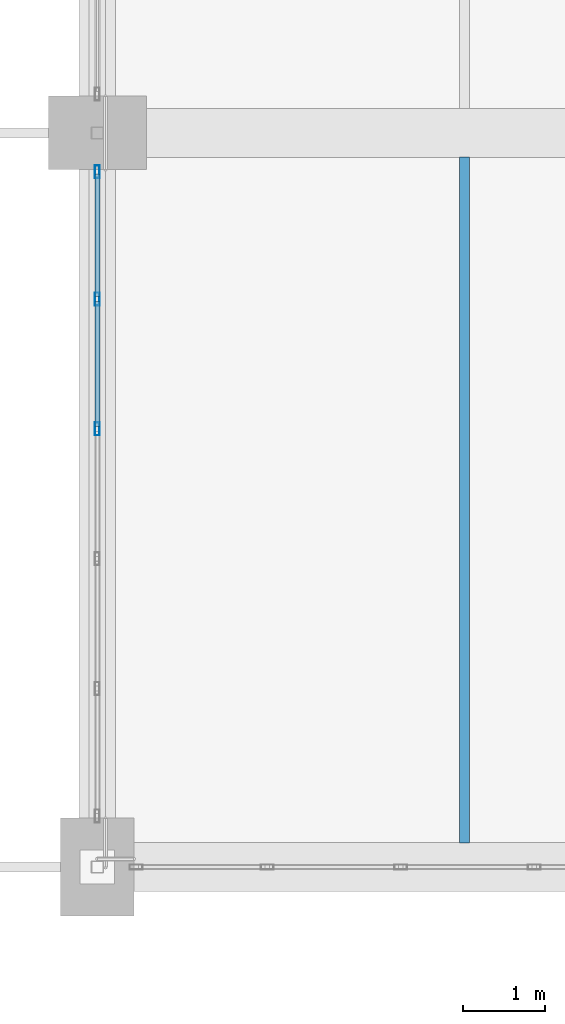
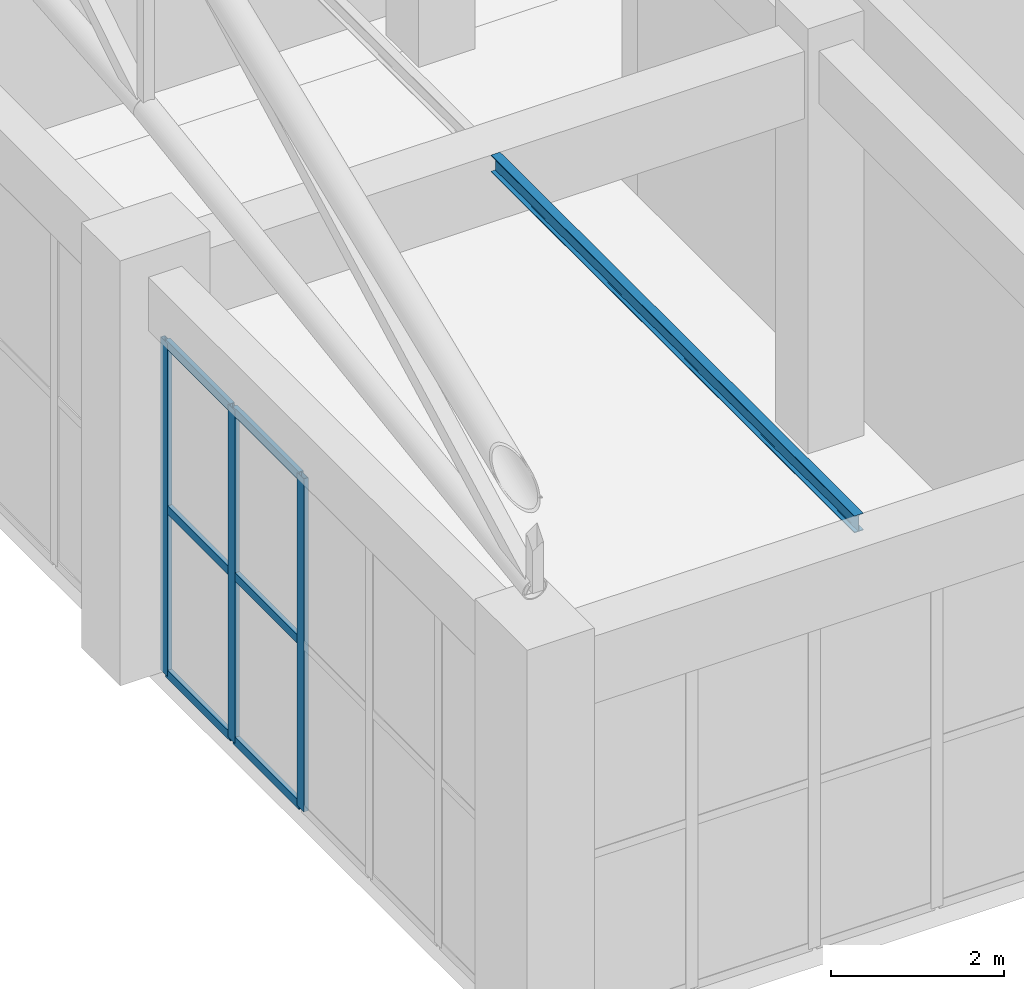
# One storey, part 92 of 223: 9 members, 1 beam, 1 element without a shape of its own.
"""IFC4 building model written with IfcOpenShell, lengths in metres."""

from ifc_helpers import new_model, si_unit, direction, frame, origin, origin_2d, place, context, subcontext, project, spatial, hollow_rectangle, i_section, extrude, material, layer, layer_set, material_profile, profile_set, type_object, element, aggregate, save


model = new_model("IFC4")

# Units and contexts
model_context = context("Model", 3, precision=1e-05, world=origin(), true_north=direction((0.0, 1.0)))
body_context = subcontext(model_context, "Body", "Model", "MODEL_VIEW")
ifc_project = project(units=[si_unit("LENGTHUNIT", "METRE"), si_unit("AREAUNIT", "SQUARE_METRE"), si_unit("VOLUMEUNIT", "CUBIC_METRE"), si_unit("PLANEANGLEUNIT", "RADIAN"), si_unit("MASSUNIT", "GRAM", prefix="KILO")], contexts=[model_context])

# Site, building, storey
site_placement = place(None, origin())
site = spatial("IfcSite", under=ifc_project, at=site_placement, CompositionType="ELEMENT")
building_placement = place(site_placement, origin())
building = spatial("IfcBuilding", under=site, at=building_placement, Name="Dornveld Trade and Exhibition Forum", CompositionType="ELEMENT")
storey_placement = place(building_placement, frame((0.0, 0.0, 6.0)))
storey = spatial("IfcBuildingStorey", under=building, at=storey_placement, Name="L01", CompositionType="ELEMENT", Elevation=6.0)

# Beam
ifc_material_1 = material(Name="Steel S355J2", Category="steel")
ifc_material_profile_1 = material_profile(ifc_material_1, i_section(OverallWidth=0.1201171875, OverallDepth=0.239990234375, WebThickness=0.006103515625, FlangeThickness=0.009765625, FilletRadius=0.014892578125, at=origin_2d()), Name="IPE 240")
ifc_profile_set_1 = profile_set([ifc_material_profile_1], Name="Steel S355J2")
beam_type = type_object("IfcBeamType", Name="BM-JOIST-240", PredefinedType="JOIST", material=ifc_profile_set_1)
beam_placement = place(storey_placement, frame((175.5, 108.297119140625, 5.52001953125), z_axis=(0.0, 1.0, 0.0), x_axis=(-1.0, 0.0, 0.0)))
element("IfcBeam", 1, at=beam_placement, inside=storey, type_object=beam_type, Name="L01 secondary joist 1364", PredefinedType="JOIST", context=body_context, shape_type="SweptSolid", body=[
    extrude(i_section(OverallWidth=0.1201171875, OverallDepth=0.239990234375, WebThickness=0.006103515625, FlangeThickness=0.009765625, FilletRadius=0.014892578125, at=origin_2d()), origin(), (0.0, 0.0, 1.0), 8.40576171875),
])

# Curtain wall, members
ifc_material_2 = material(Name="Dark-bronze anodised aluminium and low-E glass", Category="aluminium")
ifc_layer = layer(ifc_material_2, 0.1630859375)
ifc_layer_set = layer_set([ifc_layer], Name="Dark-bronze anodised aluminium and low-E glass")
curtain_wall_type = type_object("IfcCurtainWallType", Name="CW-SYS-07", PredefinedType="USERDEFINED", material=ifc_layer_set)
curtain_wall_placement = place(storey_placement, origin())
curtain_wall = element("IfcCurtainWall", 2, at=curtain_wall_placement, inside=storey, type_object=curtain_wall_type, Name="L01 unitised curtain wall 7", ObjectType="UNITISED_CURTAIN_WALL", PredefinedType="USERDEFINED")
ifc_material_3 = material(Name="Dark-bronze anodised aluminium", Category="aluminium")
ifc_material_profile_2 = material_profile(ifc_material_3, hollow_rectangle(XDim=0.06005859375, YDim=0.159912109375, WallThickness=0.00390625, at=origin_2d()), Name="RHS 160x60x4")
ifc_profile_set_2 = profile_set([ifc_material_profile_2], Name="Dark-bronze anodised aluminium")
member_type_1 = type_object("IfcMemberType", Name="CW-MUL-160", PredefinedType="MULLION", material=ifc_profile_set_2)
member_1_placement = place(storey_placement, frame((171.0, 113.370849609375, -0.00390625), z_axis=(0.0, 0.0, 1.0), x_axis=(-1.0, 0.0, 0.0)))
member_1 = element("IfcMember", 3, at=member_1_placement, type_object=member_type_1, Name="CW-07 mullion 4", PredefinedType="MULLION", context=body_context, shape_type="SweptSolid", body=[
    extrude(hollow_rectangle(XDim=0.06005859375, YDim=0.159912109375, WallThickness=0.00390625, at=origin_2d()), origin(), (0.0, 0.0, 1.0), 4.703857421875),
])
member_2_placement = place(storey_placement, frame((171.0, 114.96240234375, -0.00390625), z_axis=(0.0, 0.0, 1.0), x_axis=(-1.0, 0.0, 0.0)))
member_2 = element("IfcMember", 4, at=member_2_placement, type_object=member_type_1, Name="CW-07 mullion 5", PredefinedType="MULLION", context=body_context, shape_type="SweptSolid", body=[
    extrude(hollow_rectangle(XDim=0.06005859375, YDim=0.159912109375, WallThickness=0.00390625, at=origin_2d()), origin(), (0.0, 0.0, 1.0), 4.703857421875),
])
member_3_placement = place(storey_placement, frame((171.0, 116.52392578125, -0.00390625), z_axis=(0.0, 0.0, 1.0), x_axis=(-1.0, 0.0, 0.0)))
member_3 = element("IfcMember", 5, at=member_3_placement, type_object=member_type_1, Name="CW-07 mullion 6", PredefinedType="MULLION", context=body_context, shape_type="SweptSolid", body=[
    extrude(hollow_rectangle(XDim=0.06005859375, YDim=0.159912109375, WallThickness=0.00390625, at=origin_2d()), origin(), (0.0, 0.0, 1.0), 4.703857421875),
])
ifc_material_4 = material(Name="Dark-bronze anodised aluminium", Category="aluminium")
ifc_material_profile_3 = material_profile(ifc_material_4, hollow_rectangle(XDim=0.06005859375, YDim=0.1201171875, WallThickness=0.00390625, at=origin_2d()), Name="RHS 120x60x4")
ifc_profile_set_3 = profile_set([ifc_material_profile_3], Name="Dark-bronze anodised aluminium")
member_type_2 = type_object("IfcMemberType", Name="CW-TRN-120", PredefinedType="USERDEFINED", material=ifc_profile_set_3)
member_4_placement = place(storey_placement, frame((171.0, 113.40087890625, 0.02587890625), z_axis=(0.0, 1.0, 0.0), x_axis=(-1.0, 0.0, 0.0)))
member_4 = element("IfcMember", 6, at=member_4_placement, type_object=member_type_2, Name="CW-07 transom 4.1", ObjectType="TRANSOM", PredefinedType="USERDEFINED", context=body_context, shape_type="SweptSolid", body=[
    extrude(hollow_rectangle(XDim=0.06005859375, YDim=0.1201171875, WallThickness=0.00390625, at=origin_2d()), origin(), (0.0, 0.0, 1.0), 1.531494140625),
])
member_5_placement = place(storey_placement, frame((171.0, 113.40087890625, 2.347900390625), z_axis=(0.0, 1.0, 0.0), x_axis=(-1.0, 0.0, 0.0)))
member_5 = element("IfcMember", 7, at=member_5_placement, type_object=member_type_2, Name="CW-07 transom 4.2", ObjectType="TRANSOM", PredefinedType="USERDEFINED", context=body_context, shape_type="SweptSolid", body=[
    extrude(hollow_rectangle(XDim=0.06005859375, YDim=0.1201171875, WallThickness=0.00390625, at=origin_2d()), origin(), (0.0, 0.0, 1.0), 1.531494140625),
])
member_6_placement = place(storey_placement, frame((171.0, 113.40087890625, 4.669921875), z_axis=(0.0, 1.0, 0.0), x_axis=(-1.0, 0.0, 0.0)))
member_6 = element("IfcMember", 8, at=member_6_placement, type_object=member_type_2, Name="CW-07 transom 4.3", ObjectType="TRANSOM", PredefinedType="USERDEFINED", context=body_context, shape_type="SweptSolid", body=[
    extrude(hollow_rectangle(XDim=0.06005859375, YDim=0.1201171875, WallThickness=0.00390625, at=origin_2d()), origin(), (0.0, 0.0, 1.0), 1.531494140625),
])
member_7_placement = place(storey_placement, frame((171.0, 114.992431640625, 0.02587890625), z_axis=(0.0, 1.0, 0.0), x_axis=(-1.0, 0.0, 0.0)))
member_7 = element("IfcMember", 9, at=member_7_placement, type_object=member_type_2, Name="CW-07 transom 5.1", ObjectType="TRANSOM", PredefinedType="USERDEFINED", context=body_context, shape_type="SweptSolid", body=[
    extrude(hollow_rectangle(XDim=0.06005859375, YDim=0.1201171875, WallThickness=0.00390625, at=origin_2d()), origin(), (0.0, 0.0, 1.0), 1.50146484375),
])
member_8_placement = place(storey_placement, frame((171.0, 114.992431640625, 2.347900390625), z_axis=(0.0, 1.0, 0.0), x_axis=(-1.0, 0.0, 0.0)))
member_8 = element("IfcMember", 10, at=member_8_placement, type_object=member_type_2, Name="CW-07 transom 5.2", ObjectType="TRANSOM", PredefinedType="USERDEFINED", context=body_context, shape_type="SweptSolid", body=[
    extrude(hollow_rectangle(XDim=0.06005859375, YDim=0.1201171875, WallThickness=0.00390625, at=origin_2d()), origin(), (0.0, 0.0, 1.0), 1.50146484375),
])
member_9_placement = place(storey_placement, frame((171.0, 114.992431640625, 4.669921875), z_axis=(0.0, 1.0, 0.0), x_axis=(-1.0, 0.0, 0.0)))
member_9 = element("IfcMember", 11, at=member_9_placement, type_object=member_type_2, Name="CW-07 transom 5.3", ObjectType="TRANSOM", PredefinedType="USERDEFINED", context=body_context, shape_type="SweptSolid", body=[
    extrude(hollow_rectangle(XDim=0.06005859375, YDim=0.1201171875, WallThickness=0.00390625, at=origin_2d()), origin(), (0.0, 0.0, 1.0), 1.50146484375),
])
aggregate(curtain_wall, [member_1, member_2, member_3, member_4, member_5, member_6, member_7, member_8, member_9])

save(model, "model.ifc")
